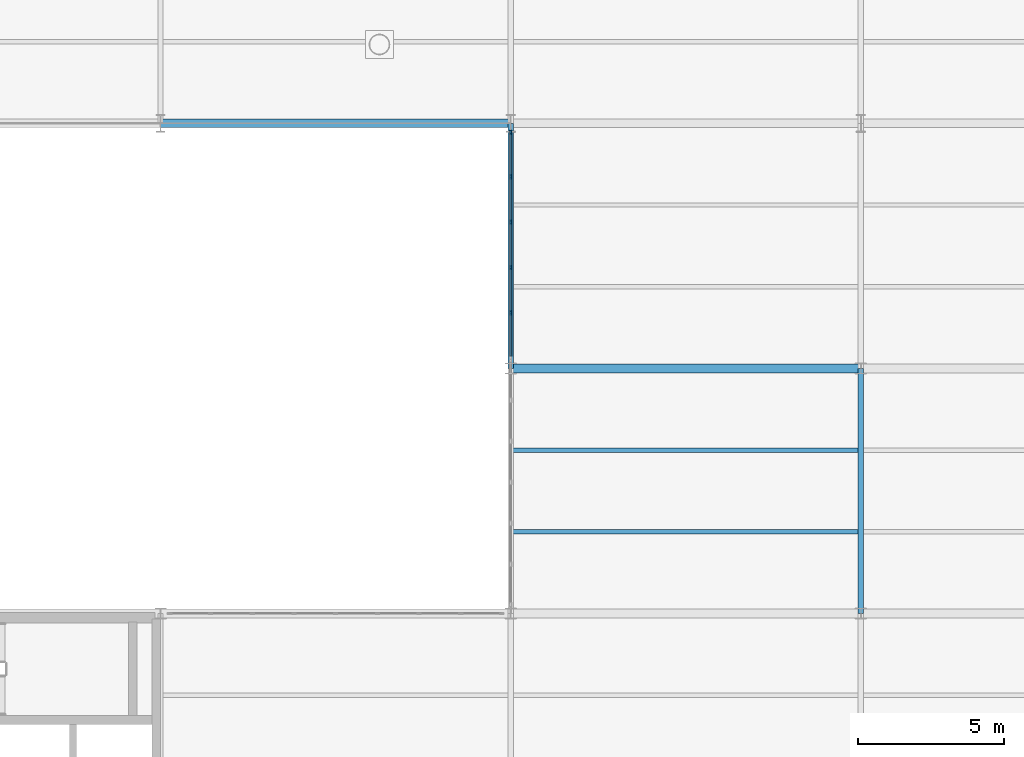
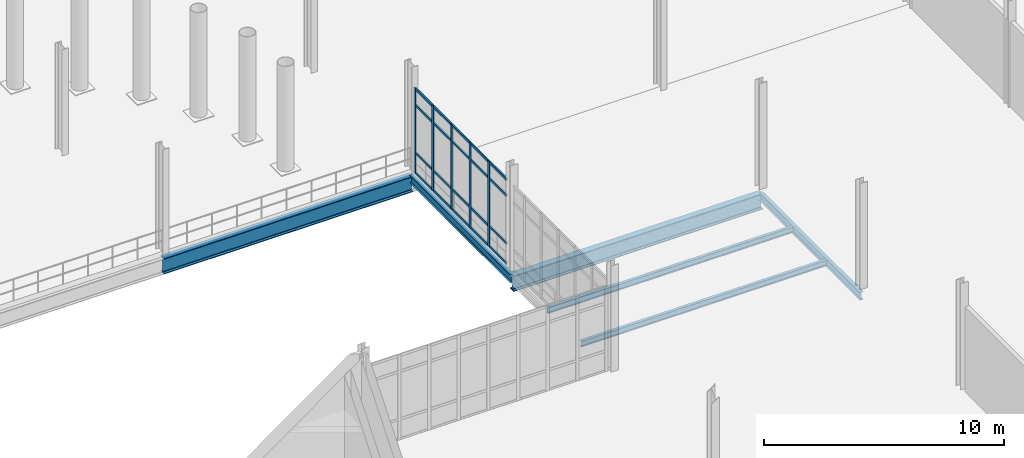
# One storey, part 67 of 111: 25 members, 6 beams, 1 element without a shape of its own.
"""IFC4 building model written with IfcOpenShell, lengths in metres."""

from ifc_helpers import new_model, si_unit, direction, frame, origin, origin_2d, place, context, subcontext, project, spatial, rectangle, i_section, extrude, material, layer, layer_set, material_profile, profile_set, type_object, element, aggregate, save


model = new_model("IFC4")

# Units and contexts
model_context = context("Model", 3, precision=1e-05, world=origin(), true_north=direction((0.0, 1.0)))
body_context = subcontext(model_context, "Body", "Model", "MODEL_VIEW")
ifc_project = project(units=[si_unit("LENGTHUNIT", "METRE"), si_unit("AREAUNIT", "SQUARE_METRE"), si_unit("VOLUMEUNIT", "CUBIC_METRE"), si_unit("PLANEANGLEUNIT", "RADIAN"), si_unit("MASSUNIT", "GRAM", prefix="KILO"), si_unit("THERMODYNAMICTEMPERATUREUNIT", "KELVIN"), si_unit("POWERUNIT", "WATT")], contexts=[model_context])

# Site, building, storey
site_placement = place(None, origin())
site = spatial("IfcSite", under=ifc_project, at=site_placement, CompositionType="ELEMENT")
building_placement = place(site_placement, origin())
building = spatial("IfcBuilding", under=site, at=building_placement, Name="Tembeka Court Mobility Hub", CompositionType="ELEMENT")
storey_placement = place(building_placement, origin())
storey = spatial("IfcBuildingStorey", under=building, at=storey_placement, Name="L00", CompositionType="ELEMENT", Elevation=0.0)

# Beams
ifc_material_1 = material(Name="Steel S355", Category="steel")
ifc_material_profile_1 = material_profile(ifc_material_1, i_section(OverallWidth=0.177978515625, OverallDepth=0.406005859375, WebThickness=0.0078125, FlangeThickness=0.0126953125, FilletRadius=0.01025390625, at=origin_2d()), Name="UKB 406x178x60")
ifc_profile_set_1 = profile_set([ifc_material_profile_1], Name="Steel S355")
beam_type_1 = type_object("IfcBeamType", Name="BM-B02", PredefinedType="BEAM", material=ifc_profile_set_1)
beam_1_placement = place(storey_placement, frame((140.39990234375, 55.199951171875, -0.48291015625), z_axis=(0.0, 1.0, 0.0), x_axis=(-1.0, 0.0, 0.0)))
element("IfcBeam", 1, at=beam_1_placement, inside=storey, type_object=beam_type_1, Name="Beam B02 (BM-L00-Y0297)", PredefinedType="BEAM", context=body_context, shape_type="SweptSolid", body=[
    extrude(i_section(OverallWidth=0.177978515625, OverallDepth=0.406005859375, WebThickness=0.0078125, FlangeThickness=0.0126953125, FilletRadius=0.01025390625, at=origin_2d()), origin(), (0.0, 0.0, 1.0), 8.400146484375),
])
beam_2_placement = place(storey_placement, frame((152.39990234375, 46.800048828125, -0.48291015625), z_axis=(0.0, 1.0, 0.0), x_axis=(-1.0, 0.0, 0.0)))
element("IfcBeam", 2, at=beam_2_placement, inside=storey, type_object=beam_type_1, Name="Beam B02 (BM-L00-Y0305)", PredefinedType="BEAM", context=body_context, shape_type="SweptSolid", body=[
    extrude(i_section(OverallWidth=0.177978515625, OverallDepth=0.406005859375, WebThickness=0.0078125, FlangeThickness=0.0126953125, FilletRadius=0.01025390625, at=origin_2d()), origin(), (0.0, 0.0, 1.0), 8.39990234375),
])
ifc_material_profile_2 = material_profile(ifc_material_1, i_section(OverallWidth=0.300048828125, OverallDepth=0.800048828125, WebThickness=0.017578125, FlangeThickness=0.034912109375, FilletRadius=0.030029296875, at=origin_2d()), Name="HEB 800")
ifc_profile_set_2 = profile_set([ifc_material_profile_2], Name="Steel S355")
beam_type_2 = type_object("IfcBeamType", Name="BM-G04", PredefinedType="USERDEFINED", material=ifc_profile_set_2)
for number, where, z_axis, x_axis, name in (
    (3, (140.39990234375, 55.199951171875, -0.679931640625), (1.0, 0.0, 0.0), (0.0, 1.0, 0.0), "Beam G04 (BM-L00-X0087)"),
    (4, (128.39990234375, 63.60009765625, -0.679931640625), (1.0, 0.0, 0.0), (0.0, 1.0, 0.0), "Beam G04 (BM-L00-X0103)"),
):
    element("IfcBeam", number, at=place(storey_placement, frame(where, z_axis=z_axis, x_axis=x_axis)), inside=storey, type_object=beam_type_2, Name=name, ObjectType="GIRDER", PredefinedType="USERDEFINED", context=body_context, shape_type="SweptSolid", body=[
        extrude(i_section(OverallWidth=0.300048828125, OverallDepth=0.800048828125, WebThickness=0.017578125, FlangeThickness=0.034912109375, FilletRadius=0.030029296875, at=origin_2d()), origin(), (0.0, 0.0, 1.0), 12.0),
    ])
ifc_material_profile_3 = material_profile(ifc_material_1, i_section(OverallWidth=0.14990234375, OverallDepth=0.300048828125, WebThickness=0.007080078125, FlangeThickness=0.0107421875, FilletRadius=0.014892578125, at=origin_2d()), Name="IPE 300")
ifc_profile_set_3 = profile_set([ifc_material_profile_3], Name="Steel S355")
beam_type_3 = type_object("IfcBeamType", Name="BM-J04", PredefinedType="JOIST", material=ifc_profile_set_3)
for number, where, z_axis, x_axis, name in (
    (5, (140.48388671875, 49.60009765625, -0.429931640625), (1.0, 0.0, 0.0), (0.0, 1.0, 0.0), "Beam J04 (JST-L00-0562)"),
    (6, (140.48388671875, 52.39990234375, -0.429931640625), (1.0, 0.0, 0.0), (0.0, 1.0, 0.0), "Beam J04 (JST-L00-0563)"),
):
    element("IfcBeam", number, at=place(storey_placement, frame(where, z_axis=z_axis, x_axis=x_axis)), inside=storey, type_object=beam_type_3, Name=name, PredefinedType="JOIST", context=body_context, shape_type="SweptSolid", body=[
        extrude(i_section(OverallWidth=0.14990234375, OverallDepth=0.300048828125, WebThickness=0.007080078125, FlangeThickness=0.0107421875, FilletRadius=0.014892578125, at=origin_2d()), origin(), (0.0, 0.0, 1.0), 11.83203125),
    ])

# Curtain wall, members
ifc_material_2 = material(Name="Anodised aluminium 6063-T6", Category="aluminium")
ifc_layer = layer(ifc_material_2, 0.159912109375)
ifc_layer_set = layer_set([ifc_layer], Name="Anodised aluminium 6063-T6")
curtain_wall_type = type_object("IfcCurtainWallType", Name="CW-SYS35", PredefinedType="USERDEFINED", material=ifc_layer_set)
curtain_wall_placement = place(storey_placement, origin())
curtain_wall = element("IfcCurtainWall", 7, at=curtain_wall_placement, inside=storey, type_object=curtain_wall_type, Name="Unitised curtain wall CW35 (CW-L00-103)", ObjectType="UNITISED GLAZING", PredefinedType="USERDEFINED")
ifc_material_profile_4 = material_profile(ifc_material_2, rectangle(XDim=0.06494140625, YDim=0.159912109375, at=origin_2d()), Name="ALU-MUL 65x160")
ifc_profile_set_4 = profile_set([ifc_material_profile_4], Name="Anodised aluminium 6063-T6")
member_type_1 = type_object("IfcMemberType", Name="CW-MUL01", PredefinedType="MULLION", material=ifc_profile_set_4)
member_1_placement = place(storey_placement, frame((140.39990234375, 57.10888671875, 0.0), z_axis=(0.0, 0.0, 1.0), x_axis=(-1.0, 0.0, 0.0)))
member_1 = element("IfcMember", 8, at=member_1_placement, type_object=member_type_1, Name="CW35 mullion 2", PredefinedType="MULLION", context=body_context, shape_type="SweptSolid", body=[
    extrude(rectangle(XDim=0.06494140625, YDim=0.159912109375, at=origin_2d()), origin(), (0.0, 0.0, 1.0), 4.3349609375),
])
member_2_placement = place(storey_placement, frame((140.39990234375, 58.66162109375, 0.0), z_axis=(0.0, 0.0, 1.0), x_axis=(-1.0, 0.0, 0.0)))
member_2 = element("IfcMember", 9, at=member_2_placement, type_object=member_type_1, Name="CW35 mullion 3", PredefinedType="MULLION", context=body_context, shape_type="SweptSolid", body=[
    extrude(rectangle(XDim=0.06494140625, YDim=0.159912109375, at=origin_2d()), origin(), (0.0, 0.0, 1.0), 4.3349609375),
])
member_3_placement = place(storey_placement, frame((140.39990234375, 60.21435546875, 0.0), z_axis=(0.0, 0.0, 1.0), x_axis=(-1.0, 0.0, 0.0)))
member_3 = element("IfcMember", 10, at=member_3_placement, type_object=member_type_1, Name="CW35 mullion 4", PredefinedType="MULLION", context=body_context, shape_type="SweptSolid", body=[
    extrude(rectangle(XDim=0.06494140625, YDim=0.159912109375, at=origin_2d()), origin(), (0.0, 0.0, 1.0), 4.3349609375),
])
member_4_placement = place(storey_placement, frame((140.39990234375, 61.76708984375, 0.0), z_axis=(0.0, 0.0, 1.0), x_axis=(-1.0, 0.0, 0.0)))
member_4 = element("IfcMember", 11, at=member_4_placement, type_object=member_type_1, Name="CW35 mullion 5", PredefinedType="MULLION", context=body_context, shape_type="SweptSolid", body=[
    extrude(rectangle(XDim=0.06494140625, YDim=0.159912109375, at=origin_2d()), origin(), (0.0, 0.0, 1.0), 4.3349609375),
])
member_5_placement = place(storey_placement, frame((140.39990234375, 63.28759765625, 0.0), z_axis=(0.0, 0.0, 1.0), x_axis=(-1.0, 0.0, 0.0)))
member_5 = element("IfcMember", 12, at=member_5_placement, type_object=member_type_1, Name="CW35 mullion 6", PredefinedType="MULLION", context=body_context, shape_type="SweptSolid", body=[
    extrude(rectangle(XDim=0.06494140625, YDim=0.159912109375, at=origin_2d()), origin(), (0.0, 0.0, 1.0), 4.3349609375),
])
ifc_material_profile_5 = material_profile(ifc_material_2, rectangle(XDim=0.06494140625, YDim=0.1201171875, at=origin_2d()), Name="ALU-TRN 65x120")
ifc_profile_set_5 = profile_set([ifc_material_profile_5], Name="Anodised aluminium 6063-T6")
member_type_2 = type_object("IfcMemberType", Name="CW-TRN01", PredefinedType="USERDEFINED", material=ifc_profile_set_5)
member_6_placement = place(storey_placement, frame((140.39990234375, 55.62109375, 0.032470703125), z_axis=(0.0, 1.0, 0.0), x_axis=(-1.0, 0.0, 0.0)))
member_6 = element("IfcMember", 13, at=member_6_placement, type_object=member_type_2, Name="CW35 transom 1.1", ObjectType="TRANSOM", PredefinedType="USERDEFINED", context=body_context, shape_type="SweptSolid", body=[
    extrude(rectangle(XDim=0.06494140625, YDim=0.1201171875, at=origin_2d()), origin(), (0.0, 0.0, 1.0), 1.455322265625),
])
member_7_placement = place(storey_placement, frame((140.39990234375, 55.62109375, 1.050048828125), z_axis=(0.0, 1.0, 0.0), x_axis=(-1.0, 0.0, 0.0)))
member_7 = element("IfcMember", 14, at=member_7_placement, type_object=member_type_2, Name="CW35 transom 1.2", ObjectType="TRANSOM", PredefinedType="USERDEFINED", context=body_context, shape_type="SweptSolid", body=[
    extrude(rectangle(XDim=0.06494140625, YDim=0.1201171875, at=origin_2d()), origin(), (0.0, 0.0, 1.0), 1.455322265625),
])
member_8_placement = place(storey_placement, frame((140.39990234375, 55.62109375, 3.485107421875), z_axis=(0.0, 1.0, 0.0), x_axis=(-1.0, 0.0, 0.0)))
member_8 = element("IfcMember", 15, at=member_8_placement, type_object=member_type_2, Name="CW35 transom 1.3", ObjectType="TRANSOM", PredefinedType="USERDEFINED", context=body_context, shape_type="SweptSolid", body=[
    extrude(rectangle(XDim=0.06494140625, YDim=0.1201171875, at=origin_2d()), origin(), (0.0, 0.0, 1.0), 1.455322265625),
])
member_9_placement = place(storey_placement, frame((140.39990234375, 55.62109375, 4.302490234375), z_axis=(0.0, 1.0, 0.0), x_axis=(-1.0, 0.0, 0.0)))
member_9 = element("IfcMember", 16, at=member_9_placement, type_object=member_type_2, Name="CW35 transom 1.4", ObjectType="TRANSOM", PredefinedType="USERDEFINED", context=body_context, shape_type="SweptSolid", body=[
    extrude(rectangle(XDim=0.06494140625, YDim=0.1201171875, at=origin_2d()), origin(), (0.0, 0.0, 1.0), 1.455322265625),
])
member_10_placement = place(storey_placement, frame((140.39990234375, 57.141357421875, 0.032470703125), z_axis=(0.0, 1.0, 0.0), x_axis=(-1.0, 0.0, 0.0)))
member_10 = element("IfcMember", 17, at=member_10_placement, type_object=member_type_2, Name="CW35 transom 2.1", ObjectType="TRANSOM", PredefinedType="USERDEFINED", context=body_context, shape_type="SweptSolid", body=[
    extrude(rectangle(XDim=0.06494140625, YDim=0.1201171875, at=origin_2d()), origin(), (0.0, 0.0, 1.0), 1.48779296875),
])
member_11_placement = place(storey_placement, frame((140.39990234375, 57.141357421875, 1.050048828125), z_axis=(0.0, 1.0, 0.0), x_axis=(-1.0, 0.0, 0.0)))
member_11 = element("IfcMember", 18, at=member_11_placement, type_object=member_type_2, Name="CW35 transom 2.2", ObjectType="TRANSOM", PredefinedType="USERDEFINED", context=body_context, shape_type="SweptSolid", body=[
    extrude(rectangle(XDim=0.06494140625, YDim=0.1201171875, at=origin_2d()), origin(), (0.0, 0.0, 1.0), 1.48779296875),
])
member_12_placement = place(storey_placement, frame((140.39990234375, 57.141357421875, 3.485107421875), z_axis=(0.0, 1.0, 0.0), x_axis=(-1.0, 0.0, 0.0)))
member_12 = element("IfcMember", 19, at=member_12_placement, type_object=member_type_2, Name="CW35 transom 2.3", ObjectType="TRANSOM", PredefinedType="USERDEFINED", context=body_context, shape_type="SweptSolid", body=[
    extrude(rectangle(XDim=0.06494140625, YDim=0.1201171875, at=origin_2d()), origin(), (0.0, 0.0, 1.0), 1.48779296875),
])
member_13_placement = place(storey_placement, frame((140.39990234375, 57.141357421875, 4.302490234375), z_axis=(0.0, 1.0, 0.0), x_axis=(-1.0, 0.0, 0.0)))
member_13 = element("IfcMember", 20, at=member_13_placement, type_object=member_type_2, Name="CW35 transom 2.4", ObjectType="TRANSOM", PredefinedType="USERDEFINED", context=body_context, shape_type="SweptSolid", body=[
    extrude(rectangle(XDim=0.06494140625, YDim=0.1201171875, at=origin_2d()), origin(), (0.0, 0.0, 1.0), 1.48779296875),
])
member_14_placement = place(storey_placement, frame((140.39990234375, 58.694091796875, 0.032470703125), z_axis=(0.0, 1.0, 0.0), x_axis=(-1.0, 0.0, 0.0)))
member_14 = element("IfcMember", 21, at=member_14_placement, type_object=member_type_2, Name="CW35 transom 3.1", ObjectType="TRANSOM", PredefinedType="USERDEFINED", context=body_context, shape_type="SweptSolid", body=[
    extrude(rectangle(XDim=0.06494140625, YDim=0.1201171875, at=origin_2d()), origin(), (0.0, 0.0, 1.0), 1.48779296875),
])
member_15_placement = place(storey_placement, frame((140.39990234375, 58.694091796875, 1.050048828125), z_axis=(0.0, 1.0, 0.0), x_axis=(-1.0, 0.0, 0.0)))
member_15 = element("IfcMember", 22, at=member_15_placement, type_object=member_type_2, Name="CW35 transom 3.2", ObjectType="TRANSOM", PredefinedType="USERDEFINED", context=body_context, shape_type="SweptSolid", body=[
    extrude(rectangle(XDim=0.06494140625, YDim=0.1201171875, at=origin_2d()), origin(), (0.0, 0.0, 1.0), 1.48779296875),
])
member_16_placement = place(storey_placement, frame((140.39990234375, 58.694091796875, 3.485107421875), z_axis=(0.0, 1.0, 0.0), x_axis=(-1.0, 0.0, 0.0)))
member_16 = element("IfcMember", 23, at=member_16_placement, type_object=member_type_2, Name="CW35 transom 3.3", ObjectType="TRANSOM", PredefinedType="USERDEFINED", context=body_context, shape_type="SweptSolid", body=[
    extrude(rectangle(XDim=0.06494140625, YDim=0.1201171875, at=origin_2d()), origin(), (0.0, 0.0, 1.0), 1.48779296875),
])
member_17_placement = place(storey_placement, frame((140.39990234375, 58.694091796875, 4.302490234375), z_axis=(0.0, 1.0, 0.0), x_axis=(-1.0, 0.0, 0.0)))
member_17 = element("IfcMember", 24, at=member_17_placement, type_object=member_type_2, Name="CW35 transom 3.4", ObjectType="TRANSOM", PredefinedType="USERDEFINED", context=body_context, shape_type="SweptSolid", body=[
    extrude(rectangle(XDim=0.06494140625, YDim=0.1201171875, at=origin_2d()), origin(), (0.0, 0.0, 1.0), 1.48779296875),
])
member_18_placement = place(storey_placement, frame((140.39990234375, 60.246826171875, 0.032470703125), z_axis=(0.0, 1.0, 0.0), x_axis=(-1.0, 0.0, 0.0)))
member_18 = element("IfcMember", 25, at=member_18_placement, type_object=member_type_2, Name="CW35 transom 4.1", ObjectType="TRANSOM", PredefinedType="USERDEFINED", context=body_context, shape_type="SweptSolid", body=[
    extrude(rectangle(XDim=0.06494140625, YDim=0.1201171875, at=origin_2d()), origin(), (0.0, 0.0, 1.0), 1.48779296875),
])
member_19_placement = place(storey_placement, frame((140.39990234375, 60.246826171875, 1.050048828125), z_axis=(0.0, 1.0, 0.0), x_axis=(-1.0, 0.0, 0.0)))
member_19 = element("IfcMember", 26, at=member_19_placement, type_object=member_type_2, Name="CW35 transom 4.2", ObjectType="TRANSOM", PredefinedType="USERDEFINED", context=body_context, shape_type="SweptSolid", body=[
    extrude(rectangle(XDim=0.06494140625, YDim=0.1201171875, at=origin_2d()), origin(), (0.0, 0.0, 1.0), 1.48779296875),
])
member_20_placement = place(storey_placement, frame((140.39990234375, 60.246826171875, 3.485107421875), z_axis=(0.0, 1.0, 0.0), x_axis=(-1.0, 0.0, 0.0)))
member_20 = element("IfcMember", 27, at=member_20_placement, type_object=member_type_2, Name="CW35 transom 4.3", ObjectType="TRANSOM", PredefinedType="USERDEFINED", context=body_context, shape_type="SweptSolid", body=[
    extrude(rectangle(XDim=0.06494140625, YDim=0.1201171875, at=origin_2d()), origin(), (0.0, 0.0, 1.0), 1.48779296875),
])
member_21_placement = place(storey_placement, frame((140.39990234375, 60.246826171875, 4.302490234375), z_axis=(0.0, 1.0, 0.0), x_axis=(-1.0, 0.0, 0.0)))
member_21 = element("IfcMember", 28, at=member_21_placement, type_object=member_type_2, Name="CW35 transom 4.4", ObjectType="TRANSOM", PredefinedType="USERDEFINED", context=body_context, shape_type="SweptSolid", body=[
    extrude(rectangle(XDim=0.06494140625, YDim=0.1201171875, at=origin_2d()), origin(), (0.0, 0.0, 1.0), 1.48779296875),
])
member_22_placement = place(storey_placement, frame((140.39990234375, 61.7998046875, 0.032470703125), z_axis=(0.0, 1.0, 0.0), x_axis=(-1.0, 0.0, 0.0)))
member_22 = element("IfcMember", 29, at=member_22_placement, type_object=member_type_2, Name="CW35 transom 5.1", ObjectType="TRANSOM", PredefinedType="USERDEFINED", context=body_context, shape_type="SweptSolid", body=[
    extrude(rectangle(XDim=0.06494140625, YDim=0.1201171875, at=origin_2d()), origin(), (0.0, 0.0, 1.0), 1.455078125),
])
member_23_placement = place(storey_placement, frame((140.39990234375, 61.7998046875, 1.050048828125), z_axis=(0.0, 1.0, 0.0), x_axis=(-1.0, 0.0, 0.0)))
member_23 = element("IfcMember", 30, at=member_23_placement, type_object=member_type_2, Name="CW35 transom 5.2", ObjectType="TRANSOM", PredefinedType="USERDEFINED", context=body_context, shape_type="SweptSolid", body=[
    extrude(rectangle(XDim=0.06494140625, YDim=0.1201171875, at=origin_2d()), origin(), (0.0, 0.0, 1.0), 1.455078125),
])
member_24_placement = place(storey_placement, frame((140.39990234375, 61.7998046875, 3.485107421875), z_axis=(0.0, 1.0, 0.0), x_axis=(-1.0, 0.0, 0.0)))
member_24 = element("IfcMember", 31, at=member_24_placement, type_object=member_type_2, Name="CW35 transom 5.3", ObjectType="TRANSOM", PredefinedType="USERDEFINED", context=body_context, shape_type="SweptSolid", body=[
    extrude(rectangle(XDim=0.06494140625, YDim=0.1201171875, at=origin_2d()), origin(), (0.0, 0.0, 1.0), 1.455078125),
])
member_25_placement = place(storey_placement, frame((140.39990234375, 61.7998046875, 4.302490234375), z_axis=(0.0, 1.0, 0.0), x_axis=(-1.0, 0.0, 0.0)))
member_25 = element("IfcMember", 32, at=member_25_placement, type_object=member_type_2, Name="CW35 transom 5.4", ObjectType="TRANSOM", PredefinedType="USERDEFINED", context=body_context, shape_type="SweptSolid", body=[
    extrude(rectangle(XDim=0.06494140625, YDim=0.1201171875, at=origin_2d()), origin(), (0.0, 0.0, 1.0), 1.455078125),
])
aggregate(curtain_wall, [member_1, member_2, member_3, member_4, member_5, member_6, member_7, member_8, member_9, member_10, member_11, member_12, member_13, member_14, member_15, member_16, member_17, member_18, member_19, member_20, member_21, member_22, member_23, member_24, member_25])

save(model, "model.ifc")
